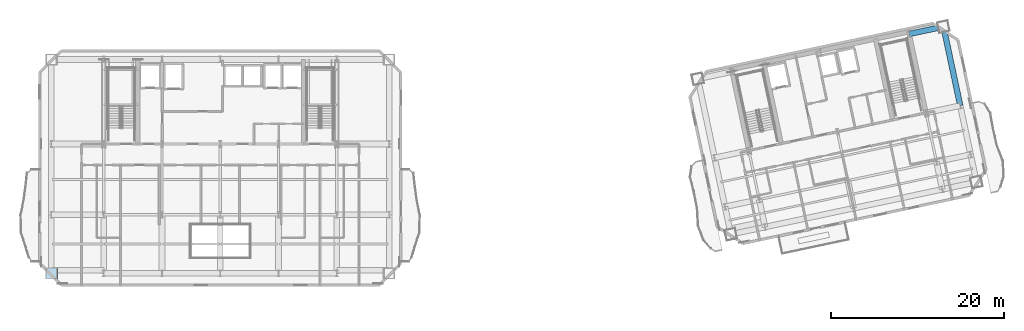
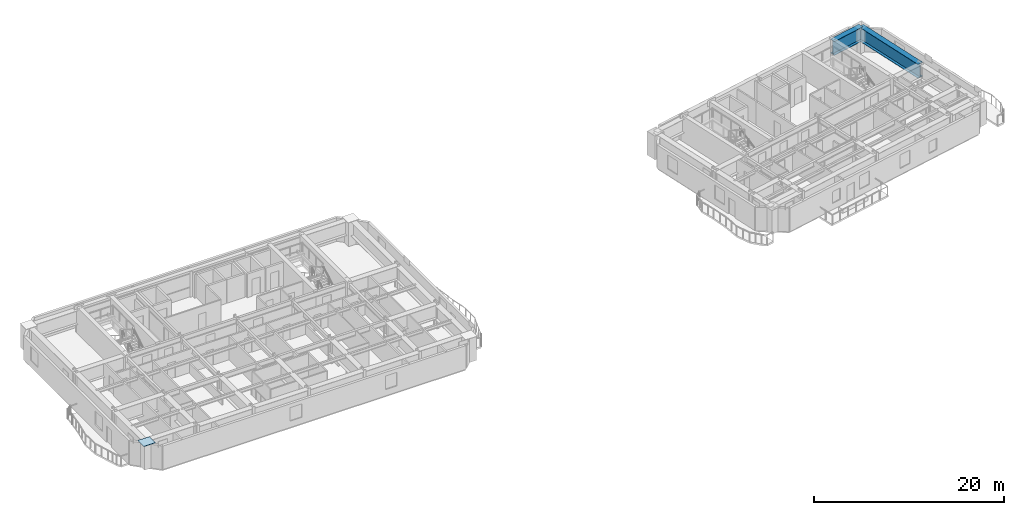
# One storey, part 4 of 16: 2 beams, 1 plate.
"""IFC4 building model written with IfcOpenShell, lengths in metres."""

from ifc_helpers import new_model, si_unit, direction, frame, origin, origin_2d, place, context, subcontext, project, spatial, rectangle, i_section, extrude, material, layer, layer_set, material_profile, profile_set, type_object, element, save


model = new_model("IFC4")

# Units and contexts
model_context = context("Model", 3, precision=1e-05, world=origin(), true_north=direction((0.0, 1.0)))
body_context = subcontext(model_context, "Body", "Model", "MODEL_VIEW")
ifc_project = project(units=[si_unit("LENGTHUNIT", "METRE"), si_unit("AREAUNIT", "SQUARE_METRE"), si_unit("VOLUMEUNIT", "CUBIC_METRE"), si_unit("PLANEANGLEUNIT", "RADIAN"), si_unit("MASSUNIT", "GRAM", prefix="KILO")], contexts=[model_context])

# Site, building, storey
site_placement = place(None, origin())
site = spatial("IfcSite", under=ifc_project, at=site_placement, CompositionType="ELEMENT")
building_placement = place(site_placement, origin())
building = spatial("IfcBuilding", under=site, at=building_placement, Name="Haevon Station Towers", CompositionType="ELEMENT")
storey_placement = place(building_placement, frame((0.0, 0.0, 172.5)))
storey = spatial("IfcBuildingStorey", under=building, at=storey_placement, Name="L47", CompositionType="ELEMENT", Elevation=172.5)

# Beams
ifc_material_1 = material(Name="Steel S460", Category="steel")
ifc_material_profile = material_profile(ifc_material_1, i_section(OverallWidth=0.64990234375, OverallDepth=1.800048828125, WebThickness=0.02490234375, FlangeThickness=0.0400390625, at=origin_2d()), Name="H-1800x650x25x40")
ifc_profile_set = profile_set([ifc_material_profile], Name="Steel S460")
beam_type = type_object("IfcBeamType", Name="BM-TG1800", PredefinedType="BEAM", material=ifc_profile_set)
beam_1_placement = place(storey_placement, frame((117.349365234375, 50.954345703125, 2.14990234375), z_axis=(0.978149504816, 0.207902732613, 0.0), x_axis=(-0.207902732613, 0.978149504816, 0.0)))
element("IfcBeam", 1, at=beam_1_placement, inside=storey, type_object=beam_type, Name="BM-T2U-L47-04-04", PredefinedType="BEAM", context=body_context, shape_type="SweptSolid", body=[
    extrude(i_section(OverallWidth=0.64990234375, OverallDepth=1.800048828125, WebThickness=0.02490234375, FlangeThickness=0.0400390625, at=origin_2d()), origin(), (0.0, 0.0, 1.0), 4.050048828125),
])
beam_2_placement = place(storey_placement, frame((123.2548828125, 42.650634765625, 2.14990234375), z_axis=(-0.207897167074, 0.978150687738, 0.0), x_axis=(-0.978150687738, -0.207897167074, 0.0)))
element("IfcBeam", 2, at=beam_2_placement, inside=storey, type_object=beam_type, Name="BM-T2V-L47-05-03", PredefinedType="BEAM", context=body_context, shape_type="SweptSolid", body=[
    extrude(i_section(OverallWidth=0.64990234375, OverallDepth=1.800048828125, WebThickness=0.02490234375, FlangeThickness=0.0400390625, at=origin_2d()), origin(), (0.0, 0.0, 1.0), 9.35009765625),
])

# Plate
ifc_material_2 = material(Name="PL-FLG1", Category="steel")
ifc_layer = layer(ifc_material_2, 0.044921875)
ifc_layer_set = layer_set([ifc_layer], Name="PL-FLG1")
plate_type = type_object("IfcPlateType", Name="PL-FLG1", PredefinedType="USERDEFINED", material=ifc_layer_set)
plate_placement = place(storey_placement, frame((17.925048828125, 23.199951171875, 3.050048828125), z_axis=(0.0, 0.0, 1.0), x_axis=(1.0, 0.0, 0.0)))
element("IfcPlate", 3, at=plate_placement, inside=storey, type_object=plate_type, Name="PL-CAP-T1-L47-01-01", ObjectType="FLANGE_PLATE", PredefinedType="USERDEFINED", context=body_context, shape_type="SweptSolid", body=[
    extrude(rectangle(XDim=1.389892578125, YDim=1.2900390625, at=origin_2d()), origin(), (0.0, 0.0, 1.0), 0.0400390625),
])

save(model, "model.ifc")
